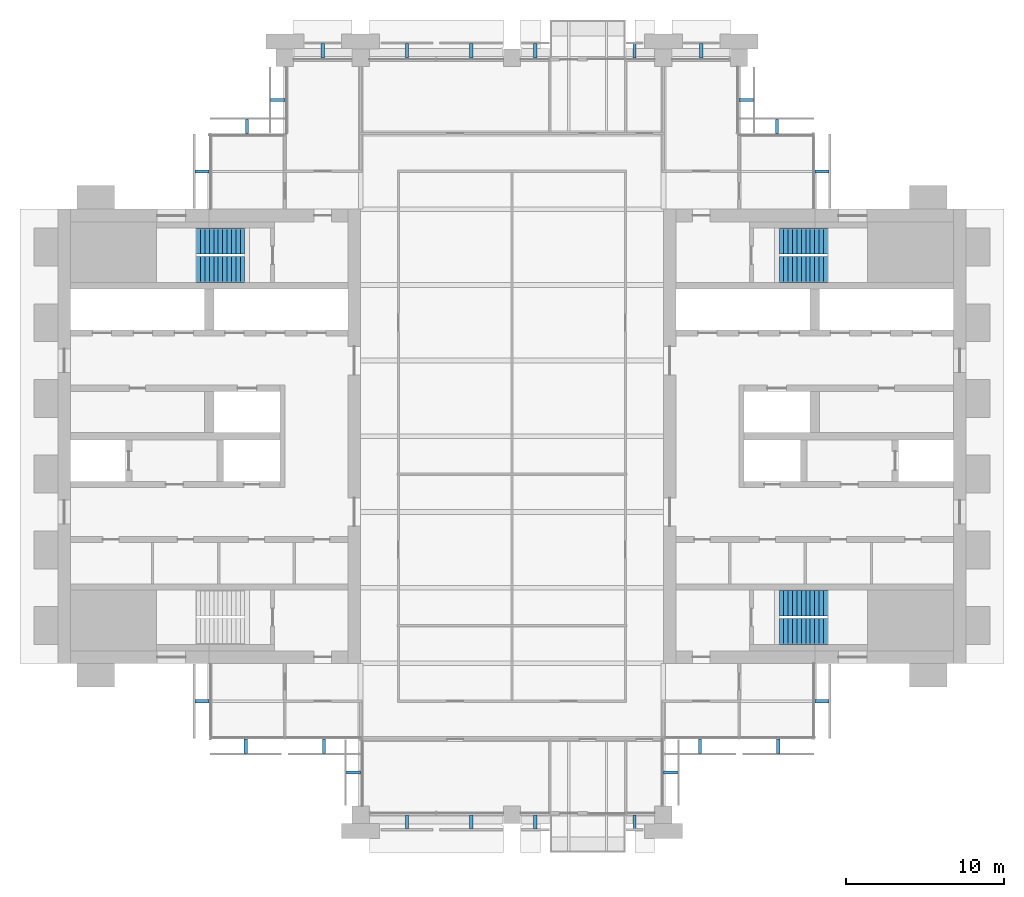
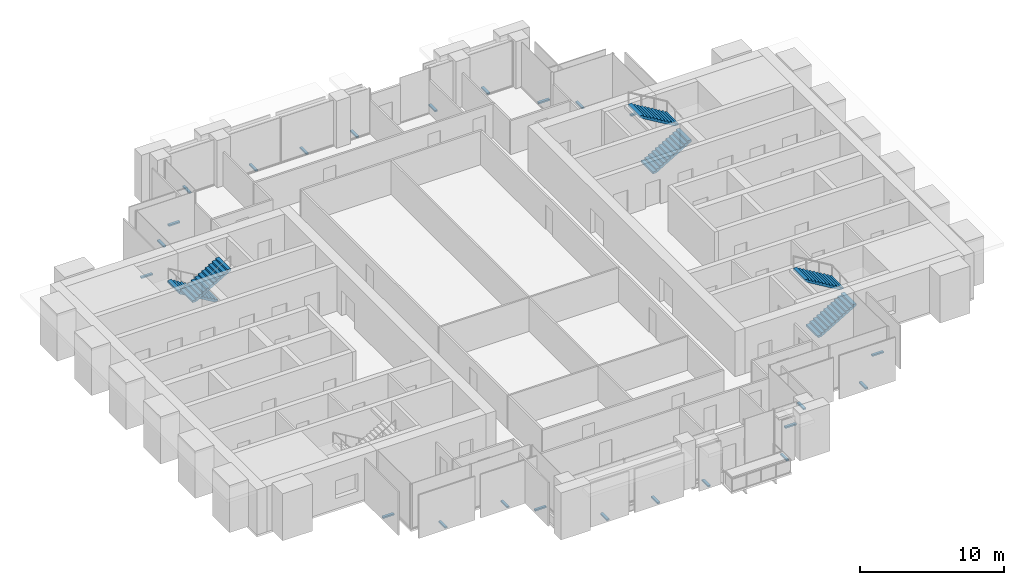
# One storey, part 12 of 14: 24 discrete accessories, 6 stair flights, 3 elements without a shape of their own.
"""IFC4 building model written with IfcOpenShell, lengths in metres."""

from ifc_helpers import new_model, si_unit, direction, frame, origin, origin_2d, place, context, subcontext, project, spatial, polyline, rectangle, outline, extrude, material, type_object, element, aggregate, save


model = new_model("IFC4")

# Units and contexts
model_context = context("Model", 3, precision=1e-05, world=origin(), true_north=direction((0.0, 1.0)))
body_context = subcontext(model_context, "Body", "Model", "MODEL_VIEW")
ifc_project = project(units=[si_unit("LENGTHUNIT", "METRE"), si_unit("AREAUNIT", "SQUARE_METRE"), si_unit("VOLUMEUNIT", "CUBIC_METRE"), si_unit("PLANEANGLEUNIT", "RADIAN"), si_unit("MASSUNIT", "GRAM", prefix="KILO")], contexts=[model_context])

# Site, building, storey
site_placement = place(None, origin())
site = spatial("IfcSite", under=ifc_project, at=site_placement, CompositionType="ELEMENT")
building_placement = place(site_placement, origin())
building = spatial("IfcBuilding", under=site, at=building_placement, Name="Baori Bourse Tower", CompositionType="ELEMENT")
storey_placement = place(building_placement, frame((0.0, 0.0, 197.199951171875)))
storey = spatial("IfcBuildingStorey", under=building, at=storey_placement, Name="L42", CompositionType="ELEMENT", Elevation=197.199951171875)

# Stair, stair flights
ifc_material_1 = material(Name="Concrete f'c 50 MPa", Category="concrete")
stair_type = type_object("IfcStairType", Name="Core stair", PredefinedType="HALF_TURN_STAIR", material=ifc_material_1)
stair_1_placement = place(storey_placement, origin())
stair_1 = element("IfcStair", 1, at=stair_1_placement, inside=storey, type_object=stair_type, Name="L42 Stair WB", PredefinedType="HALF_TURN_STAIR")
ifc_material_2 = material(Name="Concrete f'c 50 MPa", Category="concrete")
stair_flight_type = type_object("IfcStairFlightType", Name="Core stair flight", PredefinedType="STRAIGHT", material=ifc_material_2)
stair_flight_1_placement = place(storey_placement, frame((11.85009765625, 36.375, 0.0), z_axis=(0.0, 0.0, 1.0), x_axis=(-1.0, 0.0, 0.0)))
stair_flight_1 = element("IfcStairFlight", 2, at=stair_flight_1_placement, type_object=stair_flight_type, Name="ST2 flight 1", NumberOfRisers=12, NumberOfTreads=11, PredefinedType="STRAIGHT", RiserHeight=0.166666667, TreadLength=0.28, context=body_context, shape_type="SweptSolid", body=[
    extrude(outline(polyline([(0.0, 0.0), (0.0, 0.166748046875), (0.280029296875, 0.166748046875), (0.280029296875, 0.333251953125), (0.56005859375, 0.333251953125), (0.56005859375, 0.5), (0.840087890625, 0.5), (0.840087890625, 0.666748046875), (1.1201171875, 0.666748046875), (1.1201171875, 0.833251953125), (1.39990234375, 0.833251953125), (1.39990234375, 1.0), (1.679931640625, 1.0), (1.679931640625, 1.166748046875), (1.9599609375, 1.166748046875), (1.9599609375, 1.333251953125), (2.239990234375, 1.333251953125), (2.239990234375, 1.5), (2.52001953125, 1.5), (2.52001953125, 1.666748046875), (2.800048828125, 1.666748046875), (2.800048828125, 1.833251953125), (3.080078125, 1.833251953125), (3.080078125, 2.0), (3.080078125, 1.658935546875), (0.29296875, 0.0), (0.0, 0.0)])), frame((0.0, 0.824951171875, 0.0), z_axis=(0.0, -1.0, 0.0), x_axis=(1.0, 0.0, 0.0)), (0.0, 0.0, 1.0), 1.64990234375),
])
stair_flight_2_placement = place(storey_placement, frame((8.77001953125, 34.574951171875, 2.0), z_axis=(0.0, 0.0, 1.0), x_axis=(1.0, 0.0, 0.0)))
stair_flight_2 = element("IfcStairFlight", 3, at=stair_flight_2_placement, type_object=stair_flight_type, Name="ST2 flight 2", NumberOfRisers=12, NumberOfTreads=11, PredefinedType="STRAIGHT", RiserHeight=0.166666667, TreadLength=0.28, context=body_context, shape_type="SweptSolid", body=[
    extrude(outline(polyline([(0.0, 0.0), (0.0, 0.166748046875), (0.280029296875, 0.166748046875), (0.280029296875, 0.333251953125), (0.56005859375, 0.333251953125), (0.56005859375, 0.5), (0.840087890625, 0.5), (0.840087890625, 0.666748046875), (1.1201171875, 0.666748046875), (1.1201171875, 0.833251953125), (1.39990234375, 0.833251953125), (1.39990234375, 1.0), (1.679931640625, 1.0), (1.679931640625, 1.166748046875), (1.9599609375, 1.166748046875), (1.9599609375, 1.333251953125), (2.239990234375, 1.333251953125), (2.239990234375, 1.5), (2.52001953125, 1.5), (2.52001953125, 1.666748046875), (2.800048828125, 1.666748046875), (2.800048828125, 1.833251953125), (3.080078125, 1.833251953125), (3.080078125, 2.0), (3.080078125, 1.658935546875), (0.29296875, 0.0), (0.0, 0.0)])), frame((0.0, 0.824951171875, 0.0), z_axis=(0.0, -1.0, 0.0), x_axis=(1.0, 0.0, 0.0)), (0.0, 0.0, 1.0), 1.64990234375),
])
aggregate(stair_1, [stair_flight_1, stair_flight_2])

stair_2_placement = place(storey_placement, origin())
stair_2 = element("IfcStair", 4, at=stair_2_placement, inside=storey, type_object=stair_type, Name="L42 Stair EA", PredefinedType="HALF_TURN_STAIR")
stair_flight_3_placement = place(storey_placement, frame((45.75, 11.625, 0.0), z_axis=(0.0, 0.0, 1.0), x_axis=(1.0, 0.0, 0.0)))
stair_flight_3 = element("IfcStairFlight", 5, at=stair_flight_3_placement, type_object=stair_flight_type, Name="ST3 flight 1", NumberOfRisers=12, NumberOfTreads=11, PredefinedType="STRAIGHT", RiserHeight=0.166666667, TreadLength=0.28, context=body_context, shape_type="SweptSolid", body=[
    extrude(outline(polyline([(0.0, 0.0), (0.0, 0.166748046875), (0.280029296875, 0.166748046875), (0.280029296875, 0.333251953125), (0.56005859375, 0.333251953125), (0.56005859375, 0.5), (0.840087890625, 0.5), (0.840087890625, 0.666748046875), (1.1201171875, 0.666748046875), (1.1201171875, 0.833251953125), (1.39990234375, 0.833251953125), (1.39990234375, 1.0), (1.679931640625, 1.0), (1.679931640625, 1.166748046875), (1.9599609375, 1.166748046875), (1.9599609375, 1.333251953125), (2.239990234375, 1.333251953125), (2.239990234375, 1.5), (2.52001953125, 1.5), (2.52001953125, 1.666748046875), (2.800048828125, 1.666748046875), (2.800048828125, 1.833251953125), (3.080078125, 1.833251953125), (3.080078125, 2.0), (3.080078125, 1.658935546875), (0.29296875, 0.0), (0.0, 0.0)])), frame((0.0, 0.824951171875, 0.0), z_axis=(0.0, -1.0, 0.0), x_axis=(1.0, 0.0, 0.0)), (0.0, 0.0, 1.0), 1.64990234375),
])
stair_flight_4_placement = place(storey_placement, frame((48.830078125, 13.425048828125, 2.0), z_axis=(0.0, 0.0, 1.0), x_axis=(-1.0, 0.0, 0.0)))
stair_flight_4 = element("IfcStairFlight", 6, at=stair_flight_4_placement, type_object=stair_flight_type, Name="ST3 flight 2", NumberOfRisers=12, NumberOfTreads=11, PredefinedType="STRAIGHT", RiserHeight=0.166666667, TreadLength=0.28, context=body_context, shape_type="SweptSolid", body=[
    extrude(outline(polyline([(0.0, 0.0), (0.0, 0.166748046875), (0.280029296875, 0.166748046875), (0.280029296875, 0.333251953125), (0.56005859375, 0.333251953125), (0.56005859375, 0.5), (0.840087890625, 0.5), (0.840087890625, 0.666748046875), (1.1201171875, 0.666748046875), (1.1201171875, 0.833251953125), (1.39990234375, 0.833251953125), (1.39990234375, 1.0), (1.679931640625, 1.0), (1.679931640625, 1.166748046875), (1.9599609375, 1.166748046875), (1.9599609375, 1.333251953125), (2.239990234375, 1.333251953125), (2.239990234375, 1.5), (2.52001953125, 1.5), (2.52001953125, 1.666748046875), (2.800048828125, 1.666748046875), (2.800048828125, 1.833251953125), (3.080078125, 1.833251953125), (3.080078125, 2.0), (3.080078125, 1.658935546875), (0.29296875, 0.0), (0.0, 0.0)])), frame((0.0, 0.824951171875, 0.0), z_axis=(0.0, -1.0, 0.0), x_axis=(1.0, 0.0, 0.0)), (0.0, 0.0, 1.0), 1.64990234375),
])
aggregate(stair_2, [stair_flight_3, stair_flight_4])

stair_3_placement = place(storey_placement, origin())
stair_3 = element("IfcStair", 7, at=stair_3_placement, inside=storey, type_object=stair_type, Name="L42 Stair EB", PredefinedType="HALF_TURN_STAIR")
stair_flight_5_placement = place(storey_placement, frame((45.75, 34.574951171875, 0.0), z_axis=(0.0, 0.0, 1.0), x_axis=(1.0, 0.0, 0.0)))
stair_flight_5 = element("IfcStairFlight", 8, at=stair_flight_5_placement, type_object=stair_flight_type, Name="ST4 flight 1", NumberOfRisers=12, NumberOfTreads=11, PredefinedType="STRAIGHT", RiserHeight=0.166666667, TreadLength=0.28, context=body_context, shape_type="SweptSolid", body=[
    extrude(outline(polyline([(0.0, 0.0), (0.0, 0.166748046875), (0.280029296875, 0.166748046875), (0.280029296875, 0.333251953125), (0.56005859375, 0.333251953125), (0.56005859375, 0.5), (0.840087890625, 0.5), (0.840087890625, 0.666748046875), (1.1201171875, 0.666748046875), (1.1201171875, 0.833251953125), (1.39990234375, 0.833251953125), (1.39990234375, 1.0), (1.679931640625, 1.0), (1.679931640625, 1.166748046875), (1.9599609375, 1.166748046875), (1.9599609375, 1.333251953125), (2.239990234375, 1.333251953125), (2.239990234375, 1.5), (2.52001953125, 1.5), (2.52001953125, 1.666748046875), (2.800048828125, 1.666748046875), (2.800048828125, 1.833251953125), (3.080078125, 1.833251953125), (3.080078125, 2.0), (3.080078125, 1.658935546875), (0.29296875, 0.0), (0.0, 0.0)])), frame((0.0, 0.824951171875, 0.0), z_axis=(0.0, -1.0, 0.0), x_axis=(1.0, 0.0, 0.0)), (0.0, 0.0, 1.0), 1.64990234375),
])
stair_flight_6_placement = place(storey_placement, frame((48.830078125, 36.375, 2.0), z_axis=(0.0, 0.0, 1.0), x_axis=(-1.0, 0.0, 0.0)))
stair_flight_6 = element("IfcStairFlight", 9, at=stair_flight_6_placement, type_object=stair_flight_type, Name="ST4 flight 2", NumberOfRisers=12, NumberOfTreads=11, PredefinedType="STRAIGHT", RiserHeight=0.166666667, TreadLength=0.28, context=body_context, shape_type="SweptSolid", body=[
    extrude(outline(polyline([(0.0, 0.0), (0.0, 0.166748046875), (0.280029296875, 0.166748046875), (0.280029296875, 0.333251953125), (0.56005859375, 0.333251953125), (0.56005859375, 0.5), (0.840087890625, 0.5), (0.840087890625, 0.666748046875), (1.1201171875, 0.666748046875), (1.1201171875, 0.833251953125), (1.39990234375, 0.833251953125), (1.39990234375, 1.0), (1.679931640625, 1.0), (1.679931640625, 1.166748046875), (1.9599609375, 1.166748046875), (1.9599609375, 1.333251953125), (2.239990234375, 1.333251953125), (2.239990234375, 1.5), (2.52001953125, 1.5), (2.52001953125, 1.666748046875), (2.800048828125, 1.666748046875), (2.800048828125, 1.833251953125), (3.080078125, 1.833251953125), (3.080078125, 2.0), (3.080078125, 1.658935546875), (0.29296875, 0.0), (0.0, 0.0)])), frame((0.0, 0.824951171875, 0.0), z_axis=(0.0, -1.0, 0.0), x_axis=(1.0, 0.0, 0.0)), (0.0, 0.0, 1.0), 1.64990234375),
])
aggregate(stair_3, [stair_flight_5, stair_flight_6])

# Discrete accessories
ifc_material_3 = material(Name="Pale anodised aluminium", Category="aluminium")
discrete_accessory_type = type_object("IfcDiscreteAccessoryType", Name="OS2 Outer skin bracket", PredefinedType="BRACKET", material=ifc_material_3)
for number, where, z_axis, x_axis, name in (
    (10, (48.449951171875, 40.800048828125, -0.143798828125), (0.0, 0.0, 1.0), (0.0, 1.0, 0.0), "Outer skin bracket L42 1"),
    (11, (45.60009765625, 43.64990234375, -0.143798828125), (0.0, 0.0, 1.0), (-1.0, 0.0, 0.0), "Outer skin bracket L42 2"),
    (12, (43.64990234375, 45.324951171875, -0.143798828125), (0.0, 0.0, 1.0), (0.0, 1.0, 0.0), "Outer skin bracket L42 3"),
    (13, (40.800048828125, 48.449951171875, -0.143798828125), (0.0, 0.0, 1.0), (-1.0, 0.0, 0.0), "Outer skin bracket L42 4"),
    (14, (36.574951171875, 48.449951171875, -0.143798828125), (0.0, 0.0, 1.0), (-1.0, 0.0, 0.0), "Outer skin bracket L42 5"),
    (15, (30.27490234375, 48.449951171875, -0.143798828125), (0.0, 0.0, 1.0), (-1.0, 0.0, 0.0), "Outer skin bracket L42 6"),
    (16, (26.21240234375, 48.449951171875, -0.143798828125), (0.0, 0.0, 1.0), (-1.0, 0.0, 0.0), "Outer skin bracket L42 7"),
    (17, (22.137451171875, 48.449951171875, -0.143798828125), (0.0, 0.0, 1.0), (-1.0, 0.0, 0.0), "Outer skin bracket L42 8"),
    (18, (16.800048828125, 48.449951171875, -0.143798828125), (0.0, 0.0, 1.0), (-1.0, 0.0, 0.0), "Outer skin bracket L42 9"),
    (19, (13.949951171875, 45.324951171875, -0.143798828125), (0.0, 0.0, 1.0), (0.0, -1.0, 0.0), "Outer skin bracket L42 10"),
    (20, (12.0, 43.64990234375, -0.143798828125), (0.0, 0.0, 1.0), (-1.0, 0.0, 0.0), "Outer skin bracket L42 11"),
    (21, (9.14990234375, 40.800048828125, -0.143798828125), (0.0, 0.0, 1.0), (0.0, -1.0, 0.0), "Outer skin bracket L42 12"),
    (22, (9.14990234375, 7.199951171875, -0.143798828125), (0.0, 0.0, 1.0), (0.0, -1.0, 0.0), "Outer skin bracket L42 13"),
    (23, (11.91259765625, 4.35009765625, -0.143798828125), (0.0, 0.0, 1.0), (1.0, 0.0, 0.0), "Outer skin bracket L42 14"),
    (24, (16.887451171875, 4.35009765625, -0.143798828125), (0.0, 0.0, 1.0), (1.0, 0.0, 0.0), "Outer skin bracket L42 15"),
    (25, (18.75, 2.675048828125, -0.143798828125), (0.0, 0.0, 1.0), (0.0, -1.0, 0.0), "Outer skin bracket L42 16"),
    (26, (22.137451171875, -0.449951171875, -0.143798828125), (0.0, 0.0, 1.0), (1.0, 0.0, 0.0), "Outer skin bracket L42 17"),
    (27, (26.21240234375, -0.449951171875, -0.143798828125), (0.0, 0.0, 1.0), (1.0, 0.0, 0.0), "Outer skin bracket L42 18"),
    (28, (30.27490234375, -0.449951171875, -0.143798828125), (0.0, 0.0, 1.0), (1.0, 0.0, 0.0), "Outer skin bracket L42 19"),
    (29, (36.574951171875, -0.449951171875, -0.143798828125), (0.0, 0.0, 1.0), (1.0, 0.0, 0.0), "Outer skin bracket L42 20"),
    (30, (38.85009765625, 2.675048828125, -0.143798828125), (0.0, 0.0, 1.0), (0.0, 1.0, 0.0), "Outer skin bracket L42 21"),
    (31, (40.71240234375, 4.35009765625, -0.143798828125), (0.0, 0.0, 1.0), (1.0, 0.0, 0.0), "Outer skin bracket L42 22"),
    (32, (45.6875, 4.35009765625, -0.143798828125), (0.0, 0.0, 1.0), (1.0, 0.0, 0.0), "Outer skin bracket L42 23"),
    (33, (48.449951171875, 7.199951171875, -0.143798828125), (0.0, 0.0, 1.0), (0.0, 1.0, 0.0), "Outer skin bracket L42 24"),
):
    element("IfcDiscreteAccessory", number, at=place(storey_placement, frame(where, z_axis=z_axis, x_axis=x_axis)), inside=storey, type_object=discrete_accessory_type, Name=name, PredefinedType="BRACKET", context=body_context, shape_type="SweptSolid", body=[
        extrude(rectangle(XDim=0.199951171875, YDim=0.89990234375, at=origin_2d()), origin(), (0.0, 0.0, 1.0), 0.1279296875),
    ])

save(model, "model.ifc")
